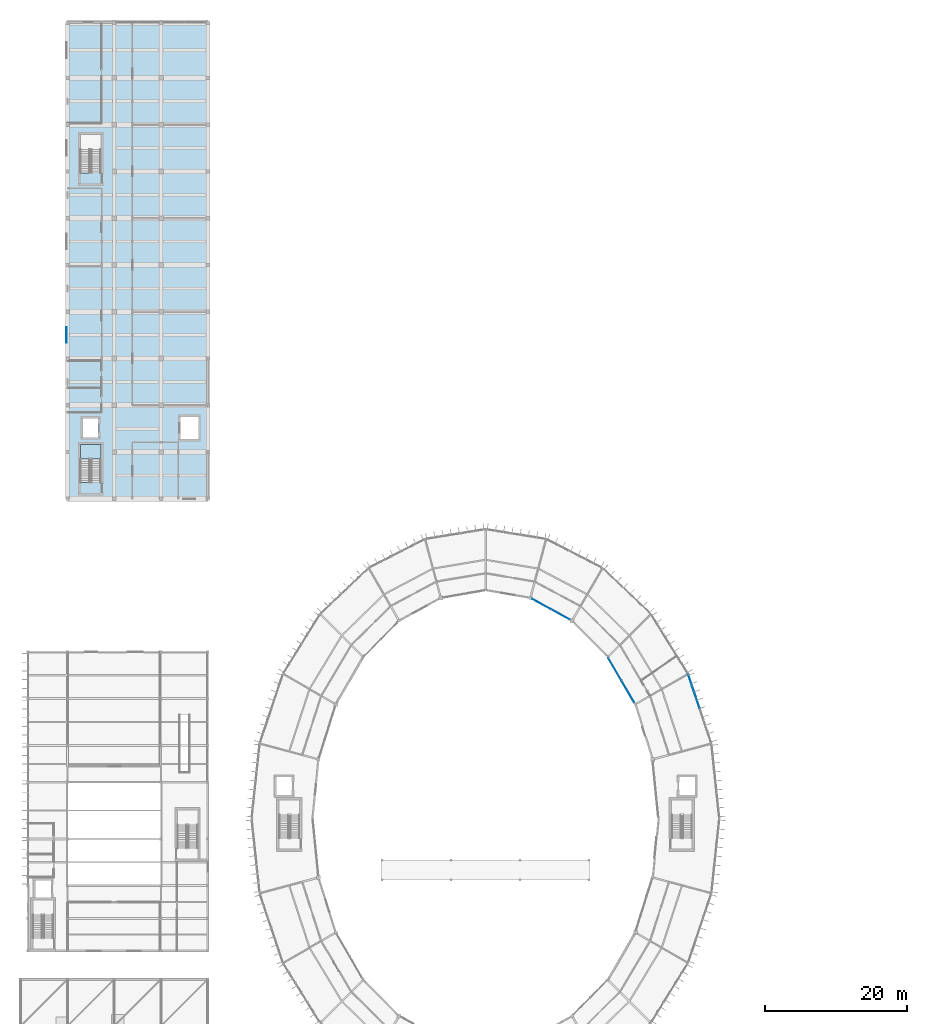
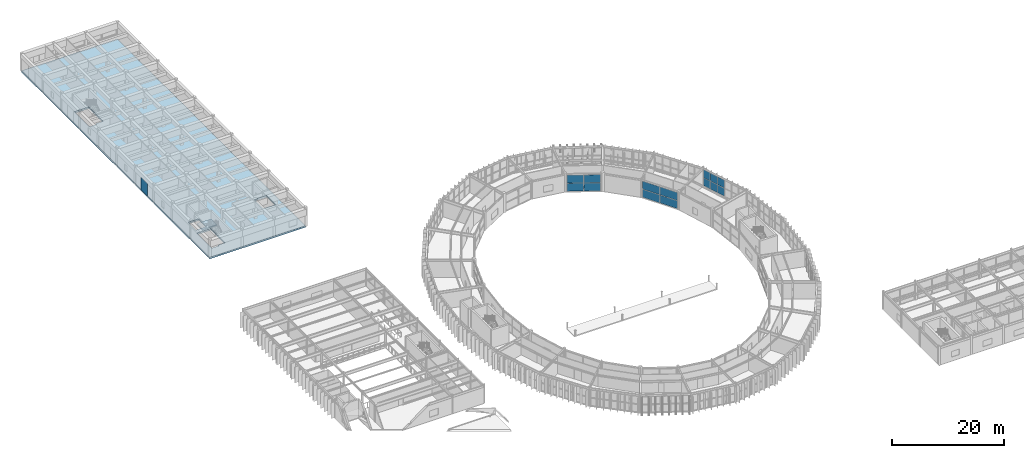
# One storey, part 118 of 157: 15 plates, 2 slabs, 4 elements without a shape of their own.
"""IFC4 building model written with IfcOpenShell, lengths in metres."""

from ifc_helpers import new_model, si_unit, direction, frame, origin, origin_2d, place, context, subcontext, project, spatial, polyline, rectangle, outline, extrude, material, layer, layer_set, type_object, element, aggregate, save


model = new_model("IFC4")

# Units and contexts
model_context = context("Model", 3, precision=1e-05, world=origin(), true_north=direction((0.0, 1.0)))
body_context = subcontext(model_context, "Body", "Model", "MODEL_VIEW")
ifc_project = project(units=[si_unit("LENGTHUNIT", "METRE"), si_unit("AREAUNIT", "SQUARE_METRE"), si_unit("VOLUMEUNIT", "CUBIC_METRE"), si_unit("PLANEANGLEUNIT", "RADIAN"), si_unit("MASSUNIT", "GRAM", prefix="KILO")], contexts=[model_context])

# Site, building, storey
site_placement = place(None, origin())
site = spatial("IfcSite", under=ifc_project, at=site_placement, CompositionType="ELEMENT")
building_placement = place(site_placement, origin())
building = spatial("IfcBuilding", under=site, at=building_placement, Name="Karori Crest Natural Sciences Institute", CompositionType="ELEMENT")
storey_placement = place(building_placement, frame((0.0, 0.0, 13.300048828125)))
storey = spatial("IfcBuildingStorey", under=building, at=storey_placement, Name="L03", CompositionType="ELEMENT", Elevation=13.300048828125)

# Curtain wall, plates
ifc_material_1 = material(Name="Anodised architectural aluminium 6063-T6", Category="aluminium")
curtain_wall_type_1 = type_object("IfcCurtainWallType", Name="CWT-13", PredefinedType="NOTDEFINED", material=ifc_material_1)
curtain_wall_1_placement = place(storey_placement, origin())
curtain_wall_1 = element("IfcCurtainWall", 1, at=curtain_wall_1_placement, inside=storey, type_object=curtain_wall_type_1, Name="Curtain wall CW-0104", PredefinedType="NOTDEFINED")
ifc_material_2 = material(Name="Double low-E laminated glass", Category="glass")
ifc_layer_1 = layer(ifc_material_2, 0.02392578125, Name="Double low-E laminated glass")
ifc_layer_set_1 = layer_set([ifc_layer_1], Name="Double low-E laminated glass")
plate_type_1 = type_object("IfcPlateType", Name="CWP-01", PredefinedType="CURTAIN_PANEL", material=ifc_layer_set_1)
plate_1_placement = place(storey_placement, frame((86.48193359375, 67.80419921875, 0.06005859375), z_axis=(0.0, 0.0, 1.0), x_axis=(-0.502654910341, 0.864487154971, 0.0)))
plate_1 = element("IfcPlate", 2, at=plate_1_placement, type_object=plate_type_1, Name="CW-0104 panel 1.1", PredefinedType="CURTAIN_PANEL", context=body_context, shape_type="SweptSolid", body=[
    extrude(rectangle(XDim=3.585205078125, YDim=0.02392578125, at=origin_2d()), origin(), (0.0, 0.0, 1.0), 1.735107421875),
])
plate_2_placement = place(storey_placement, frame((86.48193359375, 67.80419921875, 1.85498046875), z_axis=(0.0, 0.0, 1.0), x_axis=(-0.502654910341, 0.864487154971, 0.0)))
plate_2 = element("IfcPlate", 3, at=plate_2_placement, type_object=plate_type_1, Name="CW-0104 panel 1.2", PredefinedType="CURTAIN_PANEL", context=body_context, shape_type="SweptSolid", body=[
    extrude(rectangle(XDim=3.585205078125, YDim=0.02392578125, at=origin_2d()), origin(), (0.0, 0.0, 1.0), 1.735107421875),
])
plate_3_placement = place(storey_placement, frame((84.647216796875, 70.959716796875, 0.06005859375), z_axis=(0.0, 0.0, 1.0), x_axis=(-0.502654910341, 0.864487154971, 0.0)))
plate_3 = element("IfcPlate", 4, at=plate_3_placement, type_object=plate_type_1, Name="CW-0104 panel 2.1", PredefinedType="CURTAIN_PANEL", context=body_context, shape_type="SweptSolid", body=[
    extrude(rectangle(XDim=3.585205078125, YDim=0.02392578125, at=origin_2d()), origin(), (0.0, 0.0, 1.0), 1.735107421875),
])
plate_4_placement = place(storey_placement, frame((84.647216796875, 70.959716796875, 1.85498046875), z_axis=(0.0, 0.0, 1.0), x_axis=(-0.502654910341, 0.864487154971, 0.0)))
plate_4 = element("IfcPlate", 5, at=plate_4_placement, type_object=plate_type_1, Name="CW-0104 panel 2.2", PredefinedType="CURTAIN_PANEL", context=body_context, shape_type="SweptSolid", body=[
    extrude(rectangle(XDim=3.585205078125, YDim=0.02392578125, at=origin_2d()), origin(), (0.0, 0.0, 1.0), 1.735107421875),
])
aggregate(curtain_wall_1, [plate_1, plate_2, plate_3, plate_4])

curtain_wall_type_2 = type_object("IfcCurtainWallType", Name="CWT-15", PredefinedType="NOTDEFINED", material=ifc_material_1)
curtain_wall_2_placement = place(storey_placement, origin())
curtain_wall_2 = element("IfcCurtainWall", 6, at=curtain_wall_2_placement, inside=storey, type_object=curtain_wall_type_2, Name="Curtain wall CW-0107", PredefinedType="NOTDEFINED")
plate_5_placement = place(storey_placement, frame((76.959228515625, 78.682861328125, 0.06005859375), z_axis=(0.0, 0.0, 1.0), x_axis=(-0.877470277057, 0.479631017431, 0.0)))
plate_5 = element("IfcPlate", 7, at=plate_5_placement, type_object=plate_type_1, Name="CW-0107 panel 1.1", PredefinedType="CURTAIN_PANEL", context=body_context, shape_type="SweptSolid", body=[
    extrude(rectangle(XDim=2.987060546875, YDim=0.02392578125, at=origin_2d()), origin(), (0.0, 0.0, 1.0), 1.735107421875),
])
plate_6_placement = place(storey_placement, frame((76.959228515625, 78.682861328125, 1.85498046875), z_axis=(0.0, 0.0, 1.0), x_axis=(-0.877470277057, 0.479631017431, 0.0)))
plate_6 = element("IfcPlate", 8, at=plate_6_placement, type_object=plate_type_1, Name="CW-0107 panel 1.2", PredefinedType="CURTAIN_PANEL", context=body_context, shape_type="SweptSolid", body=[
    extrude(rectangle(XDim=2.987060546875, YDim=0.02392578125, at=origin_2d()), origin(), (0.0, 0.0, 1.0), 1.735107421875),
])
plate_7_placement = place(storey_placement, frame((74.281005859375, 80.14697265625, 0.06005859375), z_axis=(0.0, 0.0, 1.0), x_axis=(-0.877470277057, 0.479631017431, 0.0)))
plate_7 = element("IfcPlate", 9, at=plate_7_placement, type_object=plate_type_1, Name="CW-0107 panel 2.1", PredefinedType="CURTAIN_PANEL", context=body_context, shape_type="SweptSolid", body=[
    extrude(rectangle(XDim=2.987060546875, YDim=0.02392578125, at=origin_2d()), origin(), (0.0, 0.0, 1.0), 1.735107421875),
])
plate_8_placement = place(storey_placement, frame((74.281005859375, 80.14697265625, 1.85498046875), z_axis=(0.0, 0.0, 1.0), x_axis=(-0.877470277057, 0.479631017431, 0.0)))
plate_8 = element("IfcPlate", 10, at=plate_8_placement, type_object=plate_type_1, Name="CW-0107 panel 2.2", PredefinedType="CURTAIN_PANEL", context=body_context, shape_type="SweptSolid", body=[
    extrude(rectangle(XDim=2.987060546875, YDim=0.02392578125, at=origin_2d()), origin(), (0.0, 0.0, 1.0), 1.735107421875),
])
aggregate(curtain_wall_2, [plate_5, plate_6, plate_7, plate_8])

curtain_wall_type_3 = type_object("IfcCurtainWallType", Name="CWT-02", PredefinedType="NOTDEFINED", material=ifc_material_1)
curtain_wall_3_placement = place(storey_placement, origin())
curtain_wall_3 = element("IfcCurtainWall", 11, at=curtain_wall_3_placement, inside=storey, type_object=curtain_wall_type_3, Name="Curtain wall CW-0102", PredefinedType="NOTDEFINED")
ifc_layer_2 = layer(ifc_material_2, 0.033935546875, Name="Double low-E laminated glass")
ifc_layer_set_2 = layer_set([ifc_layer_2], Name="Double low-E laminated glass")
plate_type_2 = type_object("IfcPlateType", Name="CWP-02", PredefinedType="CURTAIN_PANEL", material=ifc_layer_set_2)
plate_9_placement = place(storey_placement, frame((95.279541015625, 69.402587890625, 0.06005859375), z_axis=(0.0, 0.0, 1.0), x_axis=(0.317679803392, -0.94819805026, 0.0)))
plate_9 = element("IfcPlate", 12, at=plate_9_placement, type_object=plate_type_2, Name="CW-0102 panel 1.1", PredefinedType="CURTAIN_PANEL", context=body_context, shape_type="SweptSolid", body=[
    extrude(rectangle(XDim=1.59619140625, YDim=0.033935546875, at=origin_2d()), origin(), (0.0, 0.0, 1.0), 1.722412109375),
])
plate_10_placement = place(storey_placement, frame((95.279541015625, 69.402587890625, 1.84228515625), z_axis=(0.0, 0.0, 1.0), x_axis=(0.317679803392, -0.94819805026, 0.0)))
plate_10 = element("IfcPlate", 13, at=plate_10_placement, type_object=plate_type_2, Name="CW-0102 panel 1.2", PredefinedType="CURTAIN_PANEL", context=body_context, shape_type="SweptSolid", body=[
    extrude(rectangle(XDim=1.59619140625, YDim=0.033935546875, at=origin_2d()), origin(), (0.0, 0.0, 1.0), 1.722412109375),
])
plate_11_placement = place(storey_placement, frame((95.8125, 67.81201171875, 0.06005859375), z_axis=(0.0, 0.0, 1.0), x_axis=(0.317679803392, -0.94819805026, 0.0)))
plate_11 = element("IfcPlate", 14, at=plate_11_placement, type_object=plate_type_2, Name="CW-0102 panel 2.1", PredefinedType="CURTAIN_PANEL", context=body_context, shape_type="SweptSolid", body=[
    extrude(rectangle(XDim=1.628662109375, YDim=0.033935546875, at=origin_2d()), origin(), (0.0, 0.0, 1.0), 1.722412109375),
])
plate_12_placement = place(storey_placement, frame((95.8125, 67.81201171875, 1.84228515625), z_axis=(0.0, 0.0, 1.0), x_axis=(0.317679803392, -0.94819805026, 0.0)))
plate_12 = element("IfcPlate", 15, at=plate_12_placement, type_object=plate_type_2, Name="CW-0102 panel 2.2", PredefinedType="CURTAIN_PANEL", context=body_context, shape_type="SweptSolid", body=[
    extrude(rectangle(XDim=1.628662109375, YDim=0.033935546875, at=origin_2d()), origin(), (0.0, 0.0, 1.0), 1.722412109375),
])
plate_13_placement = place(storey_placement, frame((96.3505859375, 66.205810546875, 0.06005859375), z_axis=(0.0, 0.0, 1.0), x_axis=(0.317679803392, -0.94819805026, 0.0)))
plate_13 = element("IfcPlate", 16, at=plate_13_placement, type_object=plate_type_2, Name="CW-0102 panel 3.1", PredefinedType="CURTAIN_PANEL", context=body_context, shape_type="SweptSolid", body=[
    extrude(rectangle(XDim=1.628662109375, YDim=0.033935546875, at=origin_2d()), origin(), (0.0, 0.0, 1.0), 1.722412109375),
])
plate_14_placement = place(storey_placement, frame((96.3505859375, 66.205810546875, 1.84228515625), z_axis=(0.0, 0.0, 1.0), x_axis=(0.317679803392, -0.94819805026, 0.0)))
plate_14 = element("IfcPlate", 17, at=plate_14_placement, type_object=plate_type_2, Name="CW-0102 panel 3.2", PredefinedType="CURTAIN_PANEL", context=body_context, shape_type="SweptSolid", body=[
    extrude(rectangle(XDim=1.628662109375, YDim=0.033935546875, at=origin_2d()), origin(), (0.0, 0.0, 1.0), 1.722412109375),
])
aggregate(curtain_wall_3, [plate_9, plate_10, plate_11, plate_12, plate_13, plate_14])

# Plate
ifc_layer_3 = layer(ifc_material_1, 0.052001953125, Name="Anodised architectural aluminium 6063-T6")
ifc_layer_set_3 = layer_set([ifc_layer_3], Name="Anodised architectural aluminium 6063-T6")
plate_type_3 = type_object("IfcPlateType", Name="PLT-02", PredefinedType="SHEET", material=ifc_layer_set_3)
plate_15_placement = place(storey_placement, frame((7.25, 118.10009765625, 0.07470703125), z_axis=(0.0, 0.0, 1.0), x_axis=(1.0, 0.0, 0.0)))
element("IfcPlate", 18, at=plate_15_placement, inside=storey, type_object=plate_type_3, Name="Metabolist service chase cladding PL-0009", PredefinedType="SHEET", context=body_context, shape_type="SweptSolid", body=[
    extrude(rectangle(XDim=0.052001953125, YDim=2.199951171875, at=origin_2d()), origin(), (0.0, 0.0, 1.0), 2.735107421875),
])

# Slab
ifc_material_3 = material(Name="Concrete 50 MPa", Category="concrete")
ifc_layer_4 = layer(ifc_material_3, 0.35009765625, Name="Concrete 50 MPa")
ifc_layer_set_4 = layer_set([ifc_layer_4], Name="Concrete 50 MPa")
slab_type_1 = type_object("IfcSlabType", Name="SLT-03", PredefinedType="FLOOR", material=ifc_layer_set_4)
slab_1_placement = place(storey_placement, frame((0.0, 0.0, -0.35009765625)))
element("IfcSlab", 19, at=slab_1_placement, inside=storey, type_object=slab_type_1, Name="V4 Slab SL-0155", PredefinedType="FLOOR", context=body_context, shape_type="SweptSolid", body=[
    extrude(outline(polyline([(7.39990234375, 95.0), (27.199951171875, 95.0), (27.199951171875, 162.199951171875), (7.39990234375, 162.199951171875), (7.39990234375, 95.0)]), holes=[polyline([(12.10009765625, 97.580078125), (10.64990234375, 97.580078125), (10.64990234375, 97.300537109375), (9.199951171875, 97.300537109375), (9.199951171875, 102.699951171875), (12.10009765625, 102.699951171875), (12.10009765625, 97.580078125)]), polyline([(12.10009765625, 141.280029296875), (10.64990234375, 141.280029296875), (10.64990234375, 141.00048828125), (9.199951171875, 141.00048828125), (9.199951171875, 146.39990234375), (12.10009765625, 146.39990234375), (12.10009765625, 141.280029296875)]), polyline([(9.52490234375, 106.375), (11.77490234375, 106.375), (11.77490234375, 103.625), (9.52490234375, 103.625), (9.52490234375, 106.375)]), polyline([(23.300048828125, 106.60009765625), (25.89990234375, 106.60009765625), (25.89990234375, 103.39990234375), (23.300048828125, 103.39990234375), (23.300048828125, 106.60009765625)])]), origin(), (0.0, 0.0, 1.0), 0.35009765625),
])

# Stair, slab
ifc_material_4 = material(Name="Concrete 40 MPa", Category="concrete")
stair_type = type_object("IfcStairType", Name="STT-01", PredefinedType="HALF_TURN_STAIR", material=ifc_material_4)
stair_placement = place(storey_placement, origin())
stair = element("IfcStair", 20, at=stair_placement, inside=storey, type_object=stair_type, Name="Protected stair ST-05-L03", PredefinedType="HALF_TURN_STAIR")
ifc_layer_5 = layer(ifc_material_4, 0.2099609375, Name="Concrete 40 MPa")
ifc_layer_set_5 = layer_set([ifc_layer_5], Name="Concrete 40 MPa")
slab_type_2 = type_object("IfcSlabType", Name="SLT-11", PredefinedType="LANDING", material=ifc_layer_set_5)
slab_2_placement = place(storey_placement, frame((0.0, 0.0, 1.889892578125)))
slab_2 = element("IfcSlab", 21, at=slab_2_placement, type_object=slab_type_2, Name="ST-05-L03 landing 1", PredefinedType="LANDING", context=body_context, shape_type="SweptSolid", body=[
    extrude(outline(polyline([(12.10009765625, 100.60009765625), (12.10009765625, 102.699951171875), (9.199951171875, 102.699951171875), (9.199951171875, 100.60009765625), (12.10009765625, 100.60009765625)])), origin(), (0.0, 0.0, 1.0), 0.2099609375),
])
aggregate(stair, [slab_2])

save(model, "model.ifc")
